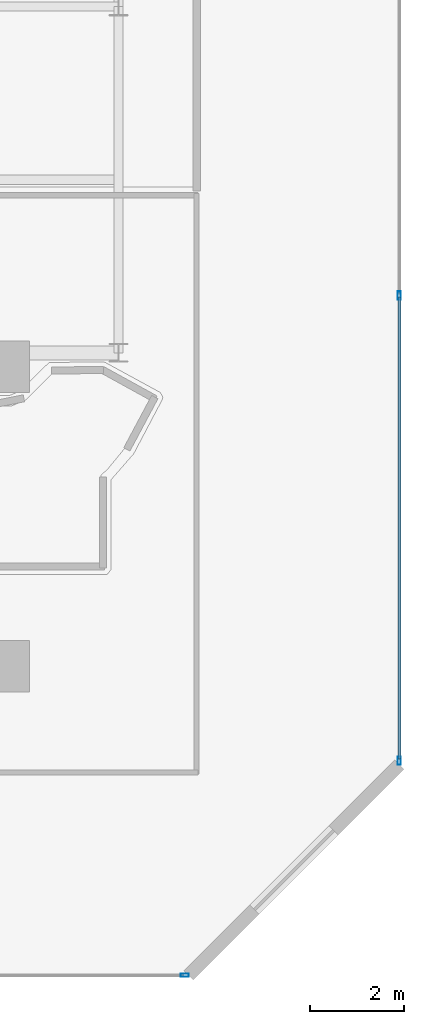
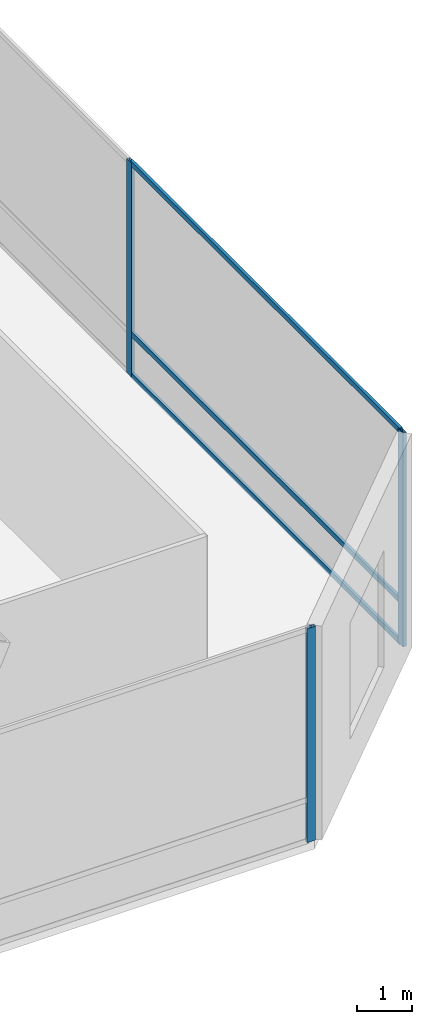
# One storey, part 26 of 42: 6 members, 2 elements without a shape of their own.
"""IFC4 building model written with IfcOpenShell, lengths in metres."""

from ifc_helpers import new_model, si_unit, direction, frame, origin, origin_2d, place, context, subcontext, project, spatial, hollow_rectangle, extrude, material, layer, layer_set, material_profile, profile_set, type_object, element, aggregate, save


model = new_model("IFC4")

# Units and contexts
model_context = context("Model", 3, precision=1e-05, world=origin(), true_north=direction((0.0, 1.0)))
body_context = subcontext(model_context, "Body", "Model", "MODEL_VIEW")
ifc_project = project(units=[si_unit("LENGTHUNIT", "METRE"), si_unit("AREAUNIT", "SQUARE_METRE"), si_unit("VOLUMEUNIT", "CUBIC_METRE"), si_unit("PLANEANGLEUNIT", "RADIAN"), si_unit("MASSUNIT", "GRAM", prefix="KILO")], contexts=[model_context])

# Site, building, storey
site_placement = place(None, origin())
site = spatial("IfcSite", under=ifc_project, at=site_placement, CompositionType="ELEMENT")
building_placement = place(site_placement, origin())
building = spatial("IfcBuilding", under=site, at=building_placement, Name="Qianvela Tower", CompositionType="ELEMENT")
storey_placement = place(building_placement, frame((0.0, 0.0, 6.0)))
storey = spatial("IfcBuildingStorey", under=building, at=storey_placement, Name="L01", CompositionType="ELEMENT", Elevation=6.0)

# Curtain wall, member
ifc_material_1 = material(Name="Anodised Architectural Aluminium and Low-E Glass", Category="aluminium")
ifc_layer = layer(ifc_material_1, 0.179931640625)
ifc_layer_set = layer_set([ifc_layer], Name="Anodised Architectural Aluminium and Low-E Glass")
curtain_wall_type = type_object("IfcCurtainWallType", Name="CW-COMMONS", PredefinedType="USERDEFINED", material=ifc_layer_set)
curtain_wall_1_placement = place(storey_placement, origin())
curtain_wall_1 = element("IfcCurtainWall", 1, at=curtain_wall_1_placement, inside=storey, type_object=curtain_wall_type, Name="L01 CW-COMMONS Curtain Wall 01", ObjectType="CURTAIN_WALL_SYSTEM", PredefinedType="USERDEFINED")
ifc_material_2 = material(Name="Anodised Architectural Aluminium 6063-T6", Category="aluminium")
ifc_material_profile_1 = material_profile(ifc_material_2, hollow_rectangle(XDim=0.070068359375, YDim=0.179931640625, WallThickness=0.0048828125, at=origin_2d()), Name="ALU-MULL-70x180")
ifc_profile_set_1 = profile_set([ifc_material_profile_1], Name="Anodised Architectural Aluminium 6063-T6")
member_type_1 = type_object("IfcMemberType", Name="CW-COMMONS-MULL", PredefinedType="MULLION", material=ifc_profile_set_1)
member_1_placement = place(storey_placement, frame((68.9150390625, 1.5, 0.0), z_axis=(0.0, 0.0, 1.0), x_axis=(0.0, 1.0, 0.0)))
member_1 = element("IfcMember", 2, at=member_1_placement, type_object=member_type_1, Name="CW-2 mullion 8", PredefinedType="MULLION", context=body_context, shape_type="SweptSolid", body=[
    extrude(hollow_rectangle(XDim=0.070068359375, YDim=0.179931640625, WallThickness=0.0048828125, at=origin_2d()), origin(), (0.0, 0.0, 1.0), 4.780029296875),
])
aggregate(curtain_wall_1, [member_1])

# Curtain wall, members
curtain_wall_2_placement = place(storey_placement, origin())
curtain_wall_2 = element("IfcCurtainWall", 3, at=curtain_wall_2_placement, inside=storey, type_object=curtain_wall_type, Name="L01 CW-COMMONS Curtain Wall 03", ObjectType="CURTAIN_WALL_SYSTEM", PredefinedType="USERDEFINED")
member_2_placement = place(storey_placement, frame((73.5, 6.0849609375, 0.0), z_axis=(0.0, 0.0, 1.0), x_axis=(-1.0, 0.0, 0.0)))
member_2 = element("IfcMember", 4, at=member_2_placement, type_object=member_type_1, Name="CW-2 mullion 1", PredefinedType="MULLION", context=body_context, shape_type="SweptSolid", body=[
    extrude(hollow_rectangle(XDim=0.070068359375, YDim=0.179931640625, WallThickness=0.0048828125, at=origin_2d()), origin(), (0.0, 0.0, 1.0), 4.780029296875),
])
member_3_placement = place(storey_placement, frame((73.5, 16.02490234375, 0.0), z_axis=(0.0, 0.0, 1.0), x_axis=(-1.0, 0.0, 0.0)))
member_3 = element("IfcMember", 5, at=member_3_placement, type_object=member_type_1, Name="CW-2 mullion 2", PredefinedType="MULLION", context=body_context, shape_type="SweptSolid", body=[
    extrude(hollow_rectangle(XDim=0.070068359375, YDim=0.179931640625, WallThickness=0.0048828125, at=origin_2d()), origin(), (0.0, 0.0, 1.0), 4.780029296875),
])
ifc_material_3 = material(Name="Anodised Architectural Aluminium 6063-T6", Category="aluminium")
ifc_material_profile_2 = material_profile(ifc_material_3, hollow_rectangle(XDim=0.06005859375, YDim=0.114990234375, WallThickness=0.00390625, at=origin_2d()), Name="ALU-TRAN-60x115")
ifc_profile_set_2 = profile_set([ifc_material_profile_2], Name="Anodised Architectural Aluminium 6063-T6")
member_type_2 = type_object("IfcMemberType", Name="CW-COMMONS-TRAN", PredefinedType="USERDEFINED", material=ifc_profile_set_2)
member_4_placement = place(storey_placement, frame((73.5, 6.1201171875, 0.030029296875), z_axis=(0.0, 1.0, 0.0), x_axis=(-1.0, 0.0, 0.0)))
member_4 = element("IfcMember", 6, at=member_4_placement, type_object=member_type_2, Name="CW-2 transom 1.1", ObjectType="TRANSOM", PredefinedType="USERDEFINED", context=body_context, shape_type="SweptSolid", body=[
    extrude(hollow_rectangle(XDim=0.06005859375, YDim=0.114990234375, WallThickness=0.00390625, at=origin_2d()), origin(), (0.0, 0.0, 1.0), 9.869873046875),
])
member_5_placement = place(storey_placement, frame((73.5, 6.1201171875, 0.949951171875), z_axis=(0.0, 1.0, 0.0), x_axis=(-1.0, 0.0, 0.0)))
member_5 = element("IfcMember", 7, at=member_5_placement, type_object=member_type_2, Name="CW-2 transom 1.2", ObjectType="TRANSOM", PredefinedType="USERDEFINED", context=body_context, shape_type="SweptSolid", body=[
    extrude(hollow_rectangle(XDim=0.06005859375, YDim=0.114990234375, WallThickness=0.00390625, at=origin_2d()), origin(), (0.0, 0.0, 1.0), 9.869873046875),
])
member_6_placement = place(storey_placement, frame((73.5, 6.1201171875, 4.75), z_axis=(0.0, 1.0, 0.0), x_axis=(-1.0, 0.0, 0.0)))
member_6 = element("IfcMember", 8, at=member_6_placement, type_object=member_type_2, Name="CW-2 transom 1.3", ObjectType="TRANSOM", PredefinedType="USERDEFINED", context=body_context, shape_type="SweptSolid", body=[
    extrude(hollow_rectangle(XDim=0.06005859375, YDim=0.114990234375, WallThickness=0.00390625, at=origin_2d()), origin(), (0.0, 0.0, 1.0), 9.869873046875),
])
aggregate(curtain_wall_2, [member_2, member_3, member_4, member_5, member_6])

save(model, "model.ifc")
